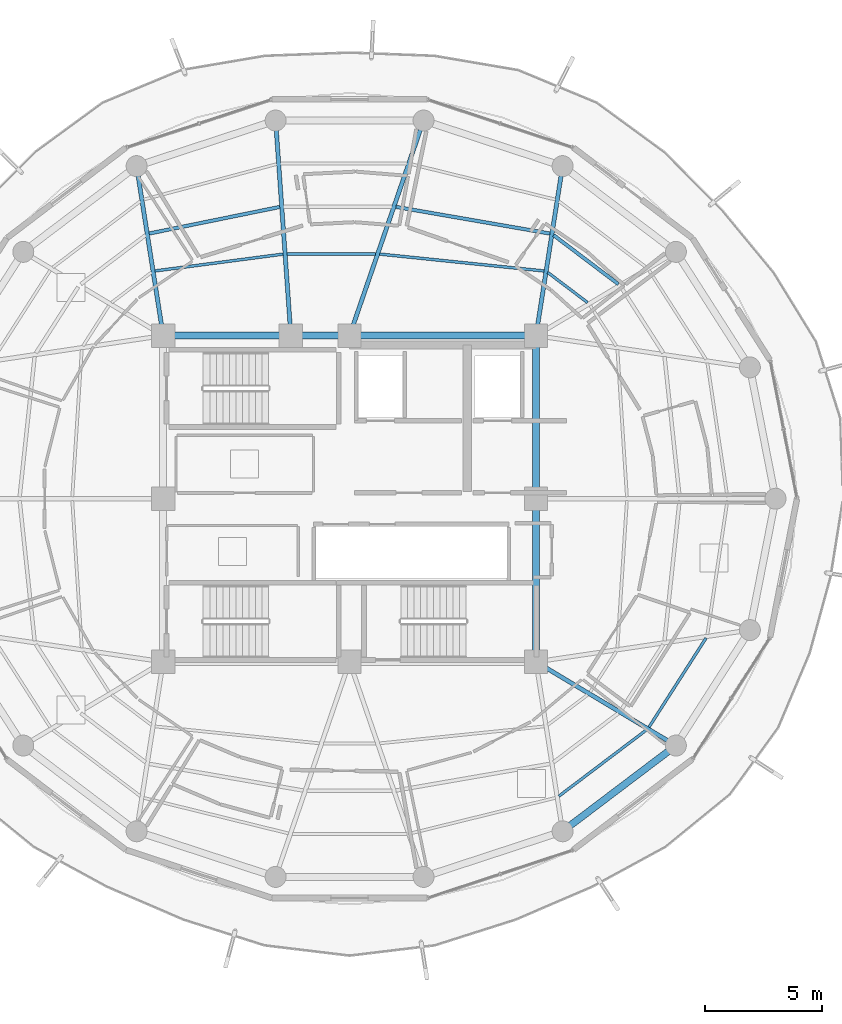
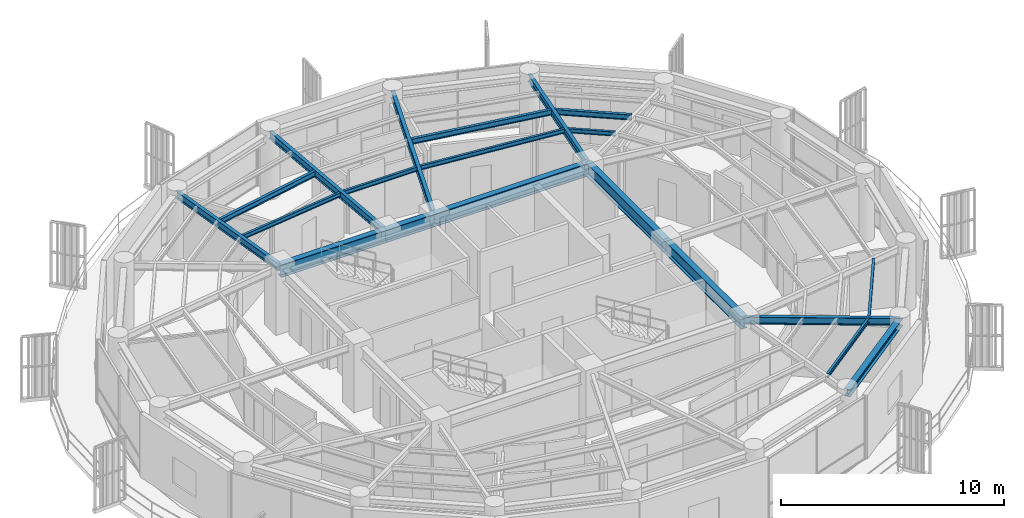
# One storey, part 9 of 23: 20 beams.
"""IFC4 building model written with IfcOpenShell, lengths in metres."""

from ifc_helpers import new_model, si_unit, direction, frame, origin, origin_2d, place, context, subcontext, project, spatial, i_section, extrude, material, material_profile, profile_set, type_object, element, save


model = new_model("IFC4")

# Units and contexts
model_context = context("Model", 3, precision=1e-05, world=origin(), true_north=direction((0.0, 1.0)))
body_context = subcontext(model_context, "Body", "Model", "MODEL_VIEW")
ifc_project = project(units=[si_unit("LENGTHUNIT", "METRE"), si_unit("AREAUNIT", "SQUARE_METRE"), si_unit("VOLUMEUNIT", "CUBIC_METRE"), si_unit("PLANEANGLEUNIT", "RADIAN"), si_unit("MASSUNIT", "GRAM", prefix="KILO")], contexts=[model_context])

# Site, building, storey
site_placement = place(None, origin())
site = spatial("IfcSite", under=ifc_project, at=site_placement, CompositionType="ELEMENT")
building_placement = place(site_placement, origin())
building = spatial("IfcBuilding", under=site, at=building_placement, Name="Kelanora Arch Commons", CompositionType="ELEMENT")
storey_placement = place(building_placement, frame((0.0, 0.0, 256.199951171875)))
storey = spatial("IfcBuildingStorey", under=building, at=storey_placement, Name="L65", CompositionType="ELEMENT", Elevation=256.199951171875)

# Beams
ifc_material = material(Name="Steel S355", Category="steel")
ifc_material_profile_1 = material_profile(ifc_material, i_section(OverallWidth=0.300048828125, OverallDepth=0.699951171875, WebThickness=0.01708984375, FlangeThickness=0.031982421875, FilletRadius=0.027099609375, at=origin_2d()), Name="HEB700")
ifc_profile_set_1 = profile_set([ifc_material_profile_1], Name="Steel S355")
beam_type_1 = type_object("IfcBeamType", Name="BM-CORE-HDR", PredefinedType="BEAM", material=ifc_profile_set_1)
for number, where, z_axis, x_axis, name in (
    (1, (82.0, 51.0, 3.14013671875), (0.0, 1.0, 0.0), (-1.0, 0.0, 0.0), "Core Header Beam 03 L65"),
    (2, (82.0, 58.0, 3.14013671875), (0.0, 1.0, 0.0), (-1.0, 0.0, 0.0), "Core Header Beam 04 L65"),
):
    element("IfcBeam", number, at=place(storey_placement, frame(where, z_axis=z_axis, x_axis=x_axis)), inside=storey, type_object=beam_type_1, Name=name, PredefinedType="BEAM", context=body_context, shape_type="SweptSolid", body=[
        extrude(i_section(OverallWidth=0.300048828125, OverallDepth=0.699951171875, WebThickness=0.01708984375, FlangeThickness=0.031982421875, FilletRadius=0.027099609375, at=origin_2d()), origin(), (0.0, 0.0, 1.0), 7.0),
    ])
beam_1_placement = place(storey_placement, frame((82.0, 65.0, 3.14013671875), z_axis=(-1.0, 0.0, 0.0), x_axis=(0.0, -1.0, 0.0)))
element("IfcBeam", 3, at=beam_1_placement, inside=storey, type_object=beam_type_1, Name="Core Header Beam 05 L65", PredefinedType="BEAM", context=body_context, shape_type="SweptSolid", body=[
    extrude(i_section(OverallWidth=0.300048828125, OverallDepth=0.699951171875, WebThickness=0.01708984375, FlangeThickness=0.031982421875, FilletRadius=0.027099609375, at=origin_2d()), origin(), (0.0, 0.0, 1.0), 8.0),
])
beam_2_placement = place(storey_placement, frame((74.0, 65.0, 3.14013671875), z_axis=(-1.0, 0.0, 0.0), x_axis=(0.0, -1.0, 0.0)))
element("IfcBeam", 4, at=beam_2_placement, inside=storey, type_object=beam_type_1, Name="Core Header Beam 06 L65", PredefinedType="BEAM", context=body_context, shape_type="SweptSolid", body=[
    extrude(i_section(OverallWidth=0.300048828125, OverallDepth=0.699951171875, WebThickness=0.01708984375, FlangeThickness=0.031982421875, FilletRadius=0.027099609375, at=origin_2d()), origin(), (0.0, 0.0, 1.0), 2.52001953125),
])
beam_3_placement = place(storey_placement, frame((71.47998046875, 65.0, 3.14013671875), z_axis=(-1.0, 0.0, 0.0), x_axis=(0.0, -1.0, 0.0)))
element("IfcBeam", 5, at=beam_3_placement, inside=storey, type_object=beam_type_1, Name="Core Header Beam 07 L65", PredefinedType="BEAM", context=body_context, shape_type="SweptSolid", body=[
    extrude(i_section(OverallWidth=0.300048828125, OverallDepth=0.699951171875, WebThickness=0.01708984375, FlangeThickness=0.031982421875, FilletRadius=0.027099609375, at=origin_2d()), origin(), (0.0, 0.0, 1.0), 5.47998046875),
])
ifc_material_profile_2 = material_profile(ifc_material, i_section(OverallWidth=0.14990234375, OverallDepth=0.300048828125, WebThickness=0.007080078125, FlangeThickness=0.0107421875, FilletRadius=0.014892578125, at=origin_2d()), Name="IPE300")
ifc_profile_set_2 = profile_set([ifc_material_profile_2], Name="Steel S355")
beam_type_2 = type_object("IfcBeamType", Name="BM-JST-01", PredefinedType="JOIST", material=ifc_profile_set_2)
beam_4_placement = place(storey_placement, frame((85.5341796875, 67.20703125, 3.340087890625), z_axis=(-0.797499198801, 0.603320004568, 0.0), x_axis=(-0.603320004568, -0.797499198801, 0.0)))
element("IfcBeam", 6, at=beam_4_placement, inside=storey, type_object=beam_type_2, Name="Secondary Chord Joist BJB-04 L65", PredefinedType="JOIST", context=body_context, shape_type="SweptSolid", body=[
    extrude(i_section(OverallWidth=0.14990234375, OverallDepth=0.300048828125, WebThickness=0.007080078125, FlangeThickness=0.0107421875, FilletRadius=0.014892578125, at=origin_2d()), origin(), (0.0, 0.0, 1.0), 3.489013671875),
])
beam_5_placement = place(storey_placement, frame((82.60009765625, 69.377685546875, 3.340087890625), z_axis=(-0.985321568263, 0.170708544357, 0.0), x_axis=(-0.170708544357, -0.985321568263, 0.0)))
element("IfcBeam", 7, at=beam_5_placement, inside=storey, type_object=beam_type_2, Name="Secondary Chord Joist BJB-06 L65", PredefinedType="JOIST", context=body_context, shape_type="SweptSolid", body=[
    extrude(i_section(OverallWidth=0.14990234375, OverallDepth=0.300048828125, WebThickness=0.007080078125, FlangeThickness=0.0107421875, FilletRadius=0.014892578125, at=origin_2d()), origin(), (0.0, 0.0, 1.0), 6.710205078125),
])
beam_6_placement = place(storey_placement, frame((71.004150390625, 70.520751953125, 3.340087890625), z_axis=(-0.979913482255, -0.199423086165, 0.0), x_axis=(0.199423086165, -0.979913482255, 0.0)))
element("IfcBeam", 8, at=beam_6_placement, inside=storey, type_object=beam_type_2, Name="Secondary Chord Joist BJB-10 L65", PredefinedType="JOIST", context=body_context, shape_type="SweptSolid", body=[
    extrude(i_section(OverallWidth=0.14990234375, OverallDepth=0.300048828125, WebThickness=0.007080078125, FlangeThickness=0.0107421875, FilletRadius=0.014892578125, at=origin_2d()), origin(), (0.0, 0.0, 1.0), 5.7197265625),
])
ifc_material_profile_3 = material_profile(ifc_material, i_section(OverallWidth=0.1201171875, OverallDepth=0.239990234375, WebThickness=0.006103515625, FlangeThickness=0.009765625, FilletRadius=0.014892578125, at=origin_2d()), Name="IPE240")
ifc_profile_set_3 = profile_set([ifc_material_profile_3], Name="Steel S355")
beam_type_3 = type_object("IfcBeamType", Name="BM-JST-02", PredefinedType="JOIST", material=ifc_profile_set_3)
beam_7_placement = place(storey_placement, frame((84.21337890625, 66.416748046875, 3.3701171875), z_axis=(-0.797509883882, 0.603305880222, 0.0), x_axis=(-0.603305880222, -0.797509883882, 0.0)))
element("IfcBeam", 9, at=beam_7_placement, inside=storey, type_object=beam_type_3, Name="Secondary Chord Joist BJA-04 L65", PredefinedType="JOIST", context=body_context, shape_type="SweptSolid", body=[
    extrude(i_section(OverallWidth=0.1201171875, OverallDepth=0.239990234375, WebThickness=0.006103515625, FlangeThickness=0.009765625, FilletRadius=0.014892578125, at=origin_2d()), origin(), (0.0, 0.0, 1.0), 2.147216796875),
])
beam_8_placement = place(storey_placement, frame((82.3486328125, 67.772216796875, 3.3701171875), z_axis=(-0.994746545688, 0.102368500239, 0.0), x_axis=(-0.102368500239, -0.994746545688, 0.0)))
element("IfcBeam", 10, at=beam_8_placement, inside=storey, type_object=beam_type_3, Name="Secondary Chord Joist BJA-06 L65", PredefinedType="JOIST", context=body_context, shape_type="SweptSolid", body=[
    extrude(i_section(OverallWidth=0.1201171875, OverallDepth=0.239990234375, WebThickness=0.006103515625, FlangeThickness=0.009765625, FilletRadius=0.014892578125, at=origin_2d()), origin(), (0.0, 0.0, 1.0), 7.09521484375),
])
beam_9_placement = place(storey_placement, frame((75.12109375, 68.507080078125, 3.3701171875), z_axis=(-1.0, 0.0, 0.0), x_axis=(0.0, -1.0, 0.0)))
element("IfcBeam", 11, at=beam_9_placement, inside=storey, type_object=beam_type_3, Name="Secondary Chord Joist BJA-08 L65", PredefinedType="JOIST", context=body_context, shape_type="SweptSolid", body=[
    extrude(i_section(OverallWidth=0.1201171875, OverallDepth=0.239990234375, WebThickness=0.006103515625, FlangeThickness=0.009765625, FilletRadius=0.014892578125, at=origin_2d()), origin(), (0.0, 0.0, 1.0), 3.8046875),
])
beam_10_placement = place(storey_placement, frame((71.147216796875, 68.49609375, 3.3701171875), z_axis=(-0.991489038745, -0.130190191832, 0.0), x_axis=(0.130190191832, -0.991489038745, 0.0)))
element("IfcBeam", 12, at=beam_10_placement, inside=storey, type_object=beam_type_3, Name="Secondary Chord Joist BJA-10 L65", PredefinedType="JOIST", context=body_context, shape_type="SweptSolid", body=[
    extrude(i_section(OverallWidth=0.1201171875, OverallDepth=0.239990234375, WebThickness=0.006103515625, FlangeThickness=0.009765625, FilletRadius=0.014892578125, at=origin_2d()), origin(), (0.0, 0.0, 1.0), 5.543212890625),
])
beam_11_placement = place(storey_placement, frame((82.979736328125, 45.233642578125, 3.3701171875), z_axis=(0.79752302984, 0.60328850219, 0.0), x_axis=(-0.60328850219, 0.79752302984, 0.0)))
element("IfcBeam", 13, at=beam_11_placement, inside=storey, type_object=beam_type_3, Name="Secondary Chord Joist BJC-30 L65", PredefinedType="JOIST", context=body_context, shape_type="SweptSolid", body=[
    extrude(i_section(OverallWidth=0.1201171875, OverallDepth=0.239990234375, WebThickness=0.006103515625, FlangeThickness=0.009765625, FilletRadius=0.014892578125, at=origin_2d()), origin(), (0.0, 0.0, 1.0), 4.70849609375),
])
beam_12_placement = place(storey_placement, frame((86.848388671875, 48.197021484375, 3.3701171875), z_axis=(0.539288735289, 0.842120929552, 0.0), x_axis=(-0.842120929552, 0.539288735289, 0.0)))
element("IfcBeam", 14, at=beam_12_placement, inside=storey, type_object=beam_type_3, Name="Secondary Chord Joist BJC-32 L65", PredefinedType="JOIST", context=body_context, shape_type="SweptSolid", body=[
    extrude(i_section(OverallWidth=0.1201171875, OverallDepth=0.239990234375, WebThickness=0.006103515625, FlangeThickness=0.009765625, FilletRadius=0.014892578125, at=origin_2d()), origin(), (0.0, 0.0, 1.0), 4.538818359375),
])
ifc_material_profile_4 = material_profile(ifc_material, i_section(OverallWidth=0.179931640625, OverallDepth=0.39990234375, WebThickness=0.008544921875, FlangeThickness=0.013427734375, FilletRadius=0.02099609375, at=origin_2d()), Name="IPE400")
ifc_profile_set_4 = profile_set([ifc_material_profile_4], Name="Steel S355")
beam_type_4 = type_object("IfcBeamType", Name="BM-RAD-Z5", PredefinedType="BEAM", material=ifc_profile_set_4)
beam_13_placement = place(storey_placement, frame((82.0, 65.0, 3.2900390625), z_axis=(0.154855424129, 0.987937142544, 0.0), x_axis=(-0.987937142544, 0.154855424129, 0.0)))
element("IfcBeam", 15, at=beam_13_placement, inside=storey, type_object=beam_type_4, Name="Radial Floor Girder BR-06 L65", PredefinedType="BEAM", context=body_context, shape_type="SweptSolid", body=[
    extrude(i_section(OverallWidth=0.179931640625, OverallDepth=0.39990234375, WebThickness=0.008544921875, FlangeThickness=0.013427734375, FilletRadius=0.02099609375, at=origin_2d()), origin(), (0.0, 0.0, 1.0), 7.361083984375),
])
beam_14_placement = place(storey_placement, frame((74.0, 65.0, 3.2900390625), z_axis=(0.325233562807, 0.945633718532, 0.0), x_axis=(-0.945633718532, 0.325233562807, 0.0)))
element("IfcBeam", 16, at=beam_14_placement, inside=storey, type_object=beam_type_4, Name="Radial Floor Girder BR-08 L65", PredefinedType="BEAM", context=body_context, shape_type="SweptSolid", body=[
    extrude(i_section(OverallWidth=0.179931640625, OverallDepth=0.39990234375, WebThickness=0.008544921875, FlangeThickness=0.013427734375, FilletRadius=0.02099609375, at=origin_2d()), origin(), (0.0, 0.0, 1.0), 9.760009765625),
])
beam_15_placement = place(storey_placement, frame((71.47998046875, 65.0, 3.2900390625), z_axis=(-0.070714497892, 0.997496596379, 0.0), x_axis=(-0.997496596379, -0.070714497892, 0.0)))
element("IfcBeam", 17, at=beam_15_placement, inside=storey, type_object=beam_type_4, Name="Radial Floor Girder BR-10 L65", PredefinedType="BEAM", context=body_context, shape_type="SweptSolid", body=[
    extrude(i_section(OverallWidth=0.179931640625, OverallDepth=0.39990234375, WebThickness=0.008544921875, FlangeThickness=0.013427734375, FilletRadius=0.02099609375, at=origin_2d()), origin(), (0.0, 0.0, 1.0), 9.252685546875),
])
beam_16_placement = place(storey_placement, frame((66.0, 65.0, 3.2900390625), z_axis=(-0.154855424129, 0.987937142544, 0.0), x_axis=(-0.987937142544, -0.154855424129, 0.0)))
element("IfcBeam", 18, at=beam_16_placement, inside=storey, type_object=beam_type_4, Name="Radial Floor Girder BR-12 L65", PredefinedType="BEAM", context=body_context, shape_type="SweptSolid", body=[
    extrude(i_section(OverallWidth=0.179931640625, OverallDepth=0.39990234375, WebThickness=0.008544921875, FlangeThickness=0.013427734375, FilletRadius=0.02099609375, at=origin_2d()), origin(), (0.0, 0.0, 1.0), 7.361083984375),
])
beam_17_placement = place(storey_placement, frame((82.0, 51.0, 3.2900390625), z_axis=(0.858062005744, -0.513546097541, 0.0), x_axis=(0.513546097541, 0.858062005744, 0.0)))
element("IfcBeam", 19, at=beam_17_placement, inside=storey, type_object=beam_type_4, Name="Radial Floor Girder BR-32 L65", PredefinedType="BEAM", context=body_context, shape_type="SweptSolid", body=[
    extrude(i_section(OverallWidth=0.179931640625, OverallDepth=0.39990234375, WebThickness=0.008544921875, FlangeThickness=0.013427734375, FilletRadius=0.02099609375, at=origin_2d()), origin(), (0.0, 0.0, 1.0), 6.99658203125),
])
ifc_material_profile_5 = material_profile(ifc_material, i_section(OverallWidth=0.300048828125, OverallDepth=0.39990234375, WebThickness=0.013427734375, FlangeThickness=0.02392578125, FilletRadius=0.027099609375, at=origin_2d()), Name="HEB400")
ifc_profile_set_5 = profile_set([ifc_material_profile_5], Name="Steel S355")
beam_type_5 = type_object("IfcBeamType", Name="BM-SPN-Z4", PredefinedType="SPANDREL", material=ifc_profile_set_5)
beam_18_placement = place(storey_placement, frame((83.139892578125, 43.727783203125, 3.2900390625), z_axis=(0.797509460967, 0.603306439273, 0.0), x_axis=(-0.603306439273, 0.797509460967, 0.0)))
element("IfcBeam", 20, at=beam_18_placement, inside=storey, type_object=beam_type_5, Name="Perimeter Spandrel Beam BS-30 L65", PredefinedType="SPANDREL", context=body_context, shape_type="SweptSolid", body=[
    extrude(i_section(OverallWidth=0.300048828125, OverallDepth=0.39990234375, WebThickness=0.013427734375, FlangeThickness=0.02392578125, FilletRadius=0.027099609375, at=origin_2d()), origin(), (0.0, 0.0, 1.0), 6.098388671875),
])

save(model, "model.ifc")
